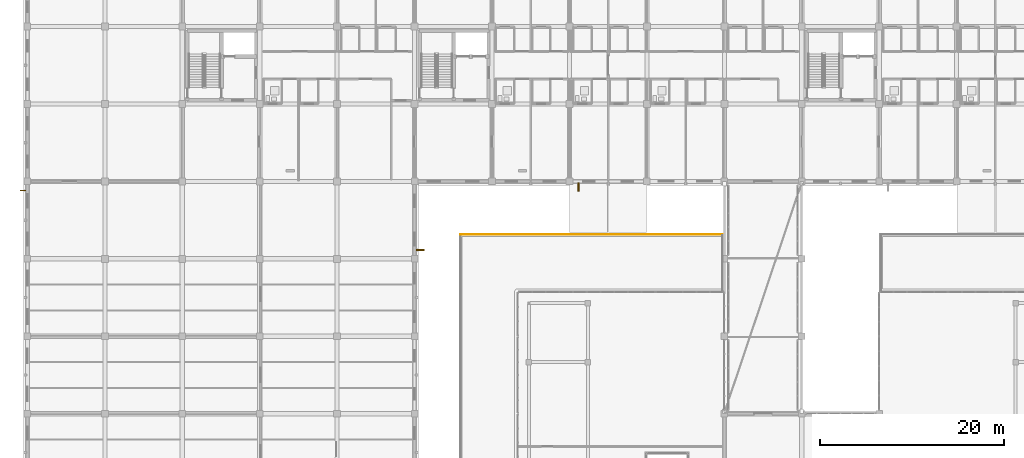
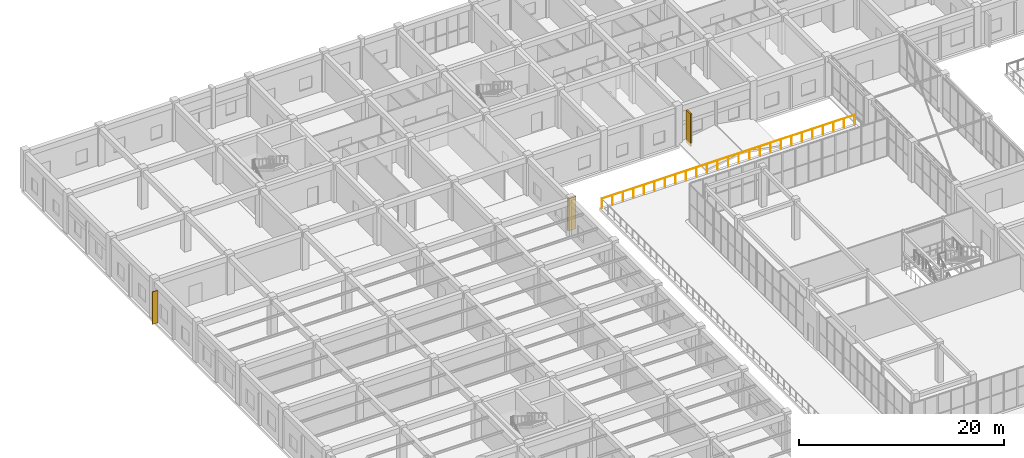
# One storey, part 152 of 158: 3 shading devices, 1 railing.
"""IFC4 building model written with IfcOpenShell, lengths in metres."""

import ifcopenshell
import ifcopenshell.guid

model = None  # the IFC model being written
_history = None  # IfcOwnerHistory: only IFC2X3 demands one
_inside = {}  # id of a spatial element -> (the spatial element, [elements in it])
_under = {}  # id of a project, library or spatial element -> (it, [spatial elements below it])
_declared = {}  # id of a project -> (the project, [libraries it declares])
_typed = {}  # id of a type object -> (the type object, [elements of that type])
_made_of = {}  # id of a material, layer set ... -> (it, [elements and type objects made of it])


def new_model(schema):
    """Start an empty IFC model of exactly this schema.

    Asked for "IFC4X3", IfcOpenShell would pick the latest addendum, in which some entities
    have other attributes; the version numbers below select the first issue.
    IFC2X3 requires an IfcOwnerHistory on every rooted entity: one is made here for all.
    """
    global model, _history
    if schema == "IFC4X3":
        model = ifcopenshell.file(schema_version=(4, 3, 0, 0))
    else:
        model = ifcopenshell.file(schema=schema)
    _inside.clear()
    _under.clear()
    _declared.clear()
    _typed.clear()
    _made_of.clear()
    _history = None
    if model.schema == "IFC2X3":
        org = make("IfcOrganization", Name="unknown")
        user = make(
            "IfcPersonAndOrganization",
            ThePerson=make("IfcPerson", FamilyName="unknown"),
            TheOrganization=org,
        )
        app = make(
            "IfcApplication",
            ApplicationDeveloper=org,
            Version="unknown",
            ApplicationFullName="unknown",
            ApplicationIdentifier="unknown",
        )
        _history = make(
            "IfcOwnerHistory",
            OwningUser=user,
            OwningApplication=app,
            ChangeAction="ADDED",
            CreationDate=0,
        )
    return model


def make(cls, **values):
    """One entity of the class cls with the attributes given. An attribute that is None is left unset."""
    return model.create_entity(
        cls, **{name: value for name, value in values.items() if value is not None}
    )


def rooted(cls, **values):
    """An entity with a GlobalId (a new one), such as an element, a storey or a relation."""
    return make(cls, GlobalId=ifcopenshell.guid.new(), OwnerHistory=_history, **values)


def si_unit(unit_type, name, prefix=None):
    """IfcSIUnit, for example si_unit("LENGTHUNIT", "METRE", prefix="MILLI")."""
    return make("IfcSIUnit", UnitType=unit_type, Prefix=prefix, Name=name)


def assignment(units):
    """IfcUnitAssignment: the units of a project."""
    return None if units is None else make("IfcUnitAssignment", Units=units)


def point(xyz):
    """IfcCartesianPoint."""
    return None if xyz is None else make("IfcCartesianPoint", Coordinates=xyz)


def direction(xyz):
    """IfcDirection."""
    return None if xyz is None else make("IfcDirection", DirectionRatios=xyz)


def frame(location, z_axis=None, x_axis=None):
    """IfcAxis2Placement3D, a coordinate frame: its origin and axes. An axis left out is left unset."""
    return make(
        "IfcAxis2Placement3D",
        Location=point(location),
        Axis=direction(z_axis),
        RefDirection=direction(x_axis),
    )


def frame_2d(location, x_axis=None):
    """IfcAxis2Placement2D, a coordinate frame in the plane: its origin and x axis."""
    return make(
        "IfcAxis2Placement2D", Location=point(location), RefDirection=direction(x_axis)
    )


def origin():
    """The frame at (0, 0, 0) with its axes left unset."""
    return frame((0.0, 0.0, 0.0))


def origin_2d():
    """The frame at (0, 0) in the plane with its x axis left unset."""
    return frame_2d((0.0, 0.0))


def place(relative_to, where):
    """IfcLocalPlacement: puts the frame where relative to a parent placement (None: the world)."""
    return make(
        "IfcLocalPlacement", PlacementRelTo=relative_to, RelativePlacement=where
    )


def context(
    kind, dimensions, precision=None, world=None, true_north=None, identifier=None
):
    """IfcGeometricRepresentationContext, for example the 3D "Model" context."""
    return make(
        "IfcGeometricRepresentationContext",
        ContextIdentifier=identifier,
        ContextType=kind,
        CoordinateSpaceDimension=dimensions,
        Precision=precision,
        WorldCoordinateSystem=world,
        TrueNorth=true_north,
    )


def subcontext(parent, identifier, kind, view, scale=None):
    """IfcGeometricRepresentationSubContext, for example "Body" below "Model"."""
    return make(
        "IfcGeometricRepresentationSubContext",
        ContextIdentifier=identifier,
        ContextType=kind,
        ParentContext=parent,
        TargetScale=scale,
        TargetView=view,
    )


def project(units=None, contexts=None):
    """IfcProject with its units and contexts."""
    return rooted(
        "IfcProject",
        Name="project",
        RepresentationContexts=contexts,
        UnitsInContext=assignment(units),
    )


def spatial(cls, under=None, at=None, **own):
    """A site, building, storey or space (cls), placed at a placement, below another one or the project."""
    s = rooted(cls, ObjectPlacement=at, **own)
    if under is not None:
        _under.setdefault(under.id(), (under, []))[1].append(s)
    return s


def profile(cls, at=None, kind="AREA", **sizes):
    """A parametric profile (cls). Its sizes go by their IFC names, for example OverallWidth=200.0."""
    return make(cls, ProfileType=kind, Position=at, **sizes)


def rectangle(**sizes):
    """IfcRectangleProfileDef."""
    return profile("IfcRectangleProfileDef", **sizes)


def circle(**sizes):
    """IfcCircleProfileDef."""
    return profile("IfcCircleProfileDef", **sizes)


def extrude(swept, where, along, depth):
    """IfcExtrudedAreaSolid: the profile swept, set in the frame where, extruded along a direction by depth."""
    return make(
        "IfcExtrudedAreaSolid",
        SweptArea=swept,
        Position=where,
        ExtrudedDirection=direction(along),
        Depth=depth,
    )


def shape(context_of_items, identifier, shape_type, items):
    """IfcShapeRepresentation: the items that make up one representation, for example the "Body"."""
    return make(
        "IfcShapeRepresentation",
        ContextOfItems=context_of_items,
        RepresentationIdentifier=identifier,
        RepresentationType=shape_type,
        Items=items,
    )


def material(Name=None, Category=None):
    """IfcMaterial."""
    return make("IfcMaterial", Name=Name, Category=Category)


def made_of(thing, what):
    """Note that an element or type object is made of a material, layer set ...; save() writes the relation."""
    if what is not None:
        _made_of.setdefault(what.id(), (what, []))[1].append(thing)
    return thing


def type_object(cls, material=None, **own):
    """A type object (cls), such as IfcWallType, which elements share."""
    return made_of(rooted(cls, **own), material)


def element(
    cls,
    number,
    at=None,
    inside=None,
    cuts=None,
    type_object=None,
    material=None,
    context=None,
    identifier="Body",
    shape_type=None,
    held_by="IfcProductDefinitionShape",
    body=None,
    shapes=None,
    **own,
):
    """One element of the class cls, such as IfcWall. Its Tag is "e" and its number.

    at: its placement. inside: the storey or other place that contains it. cuts: it is an
    opening in that element (IfcRelVoidsElement). A single representation is given by context,
    identifier, shape_type and body (its items); several are given by shapes. held_by: the class
    of the entity that holds the representations. save() writes the other relations.
    """
    e = rooted(cls, Tag="e%d" % number, ObjectPlacement=at, **own)
    if body is not None:
        shapes = [shape(context, identifier, shape_type, body)]
    if shapes is not None:
        e.Representation = make(held_by, Representations=shapes)
    if inside is not None:
        _inside.setdefault(inside.id(), (inside, []))[1].append(e)
    if cuts is not None:
        rooted(
            "IfcRelVoidsElement", RelatingBuildingElement=cuts, RelatedOpeningElement=e
        )
    if type_object is not None:
        _typed.setdefault(type_object.id(), (type_object, []))[1].append(e)
    return made_of(e, material)


def aggregate(whole, parts):
    """IfcRelAggregates: a whole, such as a stair, and the parts it consists of."""
    return rooted("IfcRelAggregates", RelatingObject=whole, RelatedObjects=parts)


def save(model, path):
    """Write the relations noted so far, then the file.

    IfcRelAggregates (storeys below a building ...), IfcRelContainedInSpatialStructure (elements
    in a storey), IfcRelDefinesByType, IfcRelAssociatesMaterial and IfcRelDeclares: one each for
    every whole, place, type object, material and project.
    """
    for whole, parts in _under.values():
        aggregate(whole, parts)
    for where, things in _inside.values():
        rooted(
            "IfcRelContainedInSpatialStructure",
            RelatedElements=things,
            RelatingStructure=where,
        )
    for kind, things in _typed.values():
        rooted("IfcRelDefinesByType", RelatedObjects=things, RelatingType=kind)
    for what, things in _made_of.values():
        rooted("IfcRelAssociatesMaterial", RelatedObjects=things, RelatingMaterial=what)
    for by, libraries in _declared.values():
        rooted("IfcRelDeclares", RelatingContext=by, RelatedDefinitions=libraries)
    model.write(path)


model = new_model("IFC4")

# Units and contexts
model_context = context("Model", 3, precision=1e-05, world=origin(), true_north=direction((0.0, 1.0)))
body_context = subcontext(model_context, "Body", "Model", "MODEL_VIEW")
ifc_project = project(units=[si_unit("LENGTHUNIT", "METRE"), si_unit("AREAUNIT", "SQUARE_METRE"), si_unit("VOLUMEUNIT", "CUBIC_METRE"), si_unit("PLANEANGLEUNIT", "RADIAN"), si_unit("MASSUNIT", "GRAM", prefix="KILO")], contexts=[model_context])

# Site, building, storey
site_placement = place(None, origin())
site = spatial("IfcSite", under=ifc_project, at=site_placement, CompositionType="ELEMENT")
building_placement = place(site_placement, origin())
building = spatial("IfcBuilding", under=site, at=building_placement, Name="Trelvath General Hospital", CompositionType="ELEMENT")
storey_placement = place(building_placement, frame((0.0, 0.0, 8.10009765625)))
storey = spatial("IfcBuildingStorey", under=building, at=storey_placement, Name="L02", CompositionType="ELEMENT", Elevation=8.10009765625)

# Shading devices
ifc_material_1 = material(Name="Precast concrete C40/50", Category="concrete")
shading_device_type_1 = type_object("IfcShadingDeviceType", Name="BriseSoleil PrecastFin900", PredefinedType="JALOUSIE", material=ifc_material_1)
for number, where, z_axis, x_axis, name in (
    (1, (42.60498046875, 84.97021484375, 0.0), (0.0, 0.0, 1.0), (1.0, 0.0, 0.0), "Solar Brise-Soleil Screen L02-38"),
    (2, (59.770263671875, 91.794921875, 0.0), (0.0, 0.0, 1.0), (0.0, -1.0, 0.0), "Solar Brise-Soleil Screen L02-39"),
):
    element("IfcShadingDevice", number, at=place(storey_placement, frame(where, z_axis=z_axis, x_axis=x_axis)), inside=storey, type_object=shading_device_type_1, Name=name, PredefinedType="JALOUSIE", context=body_context, shape_type="SweptSolid", body=[
        extrude(rectangle(XDim=0.89990234375, YDim=0.179931640625, at=origin_2d()), origin(), (0.0, 0.0, 1.0), 3.860107421875),
    ])

# Railing
ifc_material_2 = material(Name="Architectural painted steel", Category="steel")
railing_type = type_object("IfcRailingType", Name="Guardrail Terrace1150", PredefinedType="GUARDRAIL", material=ifc_material_2)
railing_placement = place(storey_placement, frame((46.97998046875, 86.6201171875, 0.0)))
element("IfcRailing", 3, at=railing_placement, inside=storey, type_object=railing_type, Name="Cube Terrace Guardrail TERR-CW-U2 3 21", PredefinedType="GUARDRAIL", context=body_context, shape_type="SweptSolid", body=[
    extrude(circle(Radius=0.02392578125, at=origin_2d()), frame((0.0, 0.0, 1.1259765625), z_axis=(1.0, 0.0, 0.0), x_axis=(0.0, 1.0, 0.0)), (0.0, 0.0, 1.0), 28.43994140625),
    extrude(circle(Radius=0.02099609375, at=origin_2d()), origin(), (0.0, 0.0, 1.0), 1.099853515625),
    extrude(circle(Radius=0.02099609375, at=origin_2d()), frame((1.18505859375, 0.0, 0.0)), (0.0, 0.0, 1.0), 1.099853515625),
    extrude(circle(Radius=0.02099609375, at=origin_2d()), frame((2.3701171875, 0.0, 0.0)), (0.0, 0.0, 1.0), 1.099853515625),
    extrude(circle(Radius=0.02099609375, at=origin_2d()), frame((3.554931640625, 0.0, 0.0)), (0.0, 0.0, 1.0), 1.099853515625),
    extrude(circle(Radius=0.02099609375, at=origin_2d()), frame((4.739990234375, 0.0, 0.0)), (0.0, 0.0, 1.0), 1.099853515625),
    extrude(circle(Radius=0.02099609375, at=origin_2d()), frame((5.925048828125, 0.0, 0.0)), (0.0, 0.0, 1.0), 1.099853515625),
    extrude(circle(Radius=0.02099609375, at=origin_2d()), frame((7.10986328125, 0.0, 0.0)), (0.0, 0.0, 1.0), 1.099853515625),
    extrude(circle(Radius=0.02099609375, at=origin_2d()), frame((8.294921875, 0.0, 0.0)), (0.0, 0.0, 1.0), 1.099853515625),
    extrude(circle(Radius=0.02099609375, at=origin_2d()), frame((9.47998046875, 0.0, 0.0)), (0.0, 0.0, 1.0), 1.099853515625),
    extrude(circle(Radius=0.02099609375, at=origin_2d()), frame((10.6650390625, 0.0, 0.0)), (0.0, 0.0, 1.0), 1.099853515625),
    extrude(circle(Radius=0.02099609375, at=origin_2d()), frame((11.85009765625, 0.0, 0.0)), (0.0, 0.0, 1.0), 1.099853515625),
    extrude(circle(Radius=0.02099609375, at=origin_2d()), frame((13.034912109375, 0.0, 0.0)), (0.0, 0.0, 1.0), 1.099853515625),
    extrude(circle(Radius=0.02099609375, at=origin_2d()), frame((14.219970703125, 0.0, 0.0)), (0.0, 0.0, 1.0), 1.099853515625),
    extrude(circle(Radius=0.02099609375, at=origin_2d()), frame((15.405029296875, 0.0, 0.0)), (0.0, 0.0, 1.0), 1.099853515625),
    extrude(circle(Radius=0.02099609375, at=origin_2d()), frame((16.58984375, 0.0, 0.0)), (0.0, 0.0, 1.0), 1.099853515625),
    extrude(circle(Radius=0.02099609375, at=origin_2d()), frame((17.77490234375, 0.0, 0.0)), (0.0, 0.0, 1.0), 1.099853515625),
    extrude(circle(Radius=0.02099609375, at=origin_2d()), frame((18.9599609375, 0.0, 0.0)), (0.0, 0.0, 1.0), 1.099853515625),
    extrude(circle(Radius=0.02099609375, at=origin_2d()), frame((20.14501953125, 0.0, 0.0)), (0.0, 0.0, 1.0), 1.099853515625),
    extrude(circle(Radius=0.02099609375, at=origin_2d()), frame((21.330078125, 0.0, 0.0)), (0.0, 0.0, 1.0), 1.099853515625),
    extrude(circle(Radius=0.02099609375, at=origin_2d()), frame((22.514892578125, 0.0, 0.0)), (0.0, 0.0, 1.0), 1.099853515625),
    extrude(circle(Radius=0.02099609375, at=origin_2d()), frame((23.699951171875, 0.0, 0.0)), (0.0, 0.0, 1.0), 1.099853515625),
    extrude(circle(Radius=0.02099609375, at=origin_2d()), frame((24.885009765625, 0.0, 0.0)), (0.0, 0.0, 1.0), 1.099853515625),
    extrude(circle(Radius=0.02099609375, at=origin_2d()), frame((26.06982421875, 0.0, 0.0)), (0.0, 0.0, 1.0), 1.099853515625),
    extrude(circle(Radius=0.02099609375, at=origin_2d()), frame((27.2548828125, 0.0, 0.0)), (0.0, 0.0, 1.0), 1.099853515625),
    extrude(circle(Radius=0.02099609375, at=origin_2d()), frame((28.43994140625, 0.0, 0.0)), (0.0, 0.0, 1.0), 1.099853515625),
])

# Shading device
ifc_material_3 = material(Name="Anodised aluminium", Category="aluminium")
shading_device_type_2 = type_object("IfcShadingDeviceType", Name="SolarScreen PerforatedAlu", PredefinedType="JALOUSIE", material=ifc_material_3)
shading_device_placement = place(storey_placement, frame((-0.47998046875, 91.4296875, 0.0), z_axis=(0.0, 0.0, 1.0), x_axis=(-1.0, 0.0, 0.0)))
element("IfcShadingDevice", 4, at=shading_device_placement, inside=storey, type_object=shading_device_type_2, Name="Solar Brise-Soleil Screen L02-35", PredefinedType="JALOUSIE", context=body_context, shape_type="SweptSolid", body=[
    extrude(rectangle(XDim=0.64990234375, YDim=0.080078125, at=origin_2d()), origin(), (0.0, 0.0, 1.0), 3.860107421875),
])

save(model, "model.ifc")
